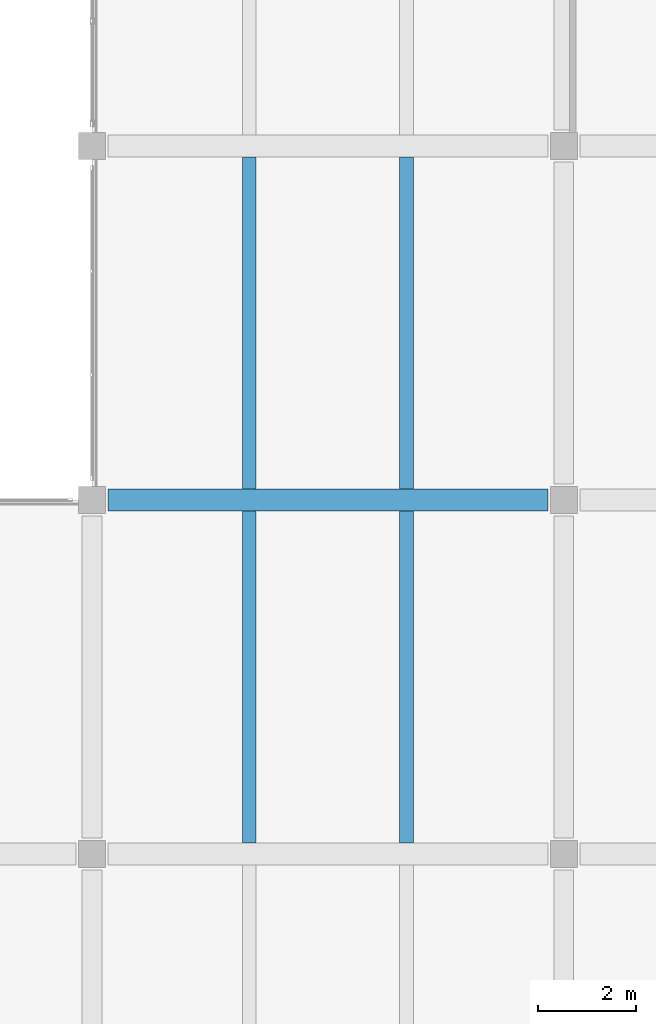
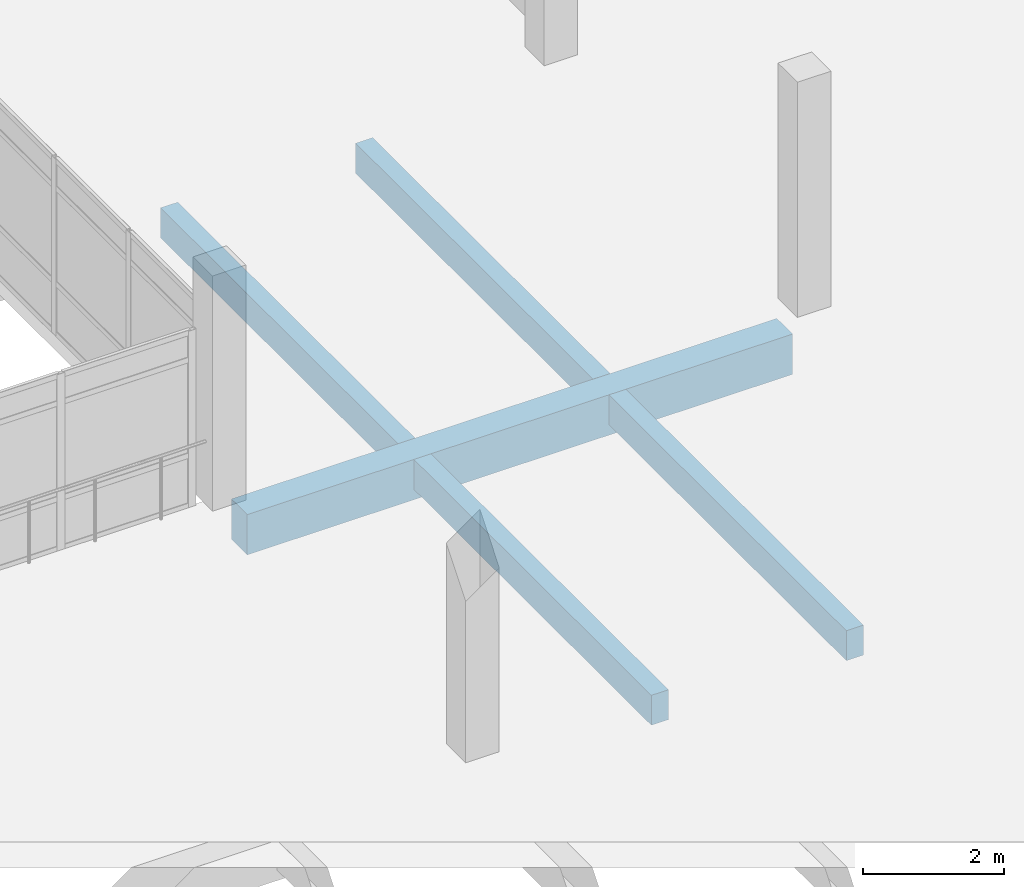
# One storey, part 30 of 72: 5 beams.
"""IFC4 building model written with IfcOpenShell, lengths in metres."""

import ifcopenshell
import ifcopenshell.guid

model = None  # the IFC model being written
_history = None  # IfcOwnerHistory: only IFC2X3 demands one
_inside = {}  # id of a spatial element -> (the spatial element, [elements in it])
_under = {}  # id of a project, library or spatial element -> (it, [spatial elements below it])
_declared = {}  # id of a project -> (the project, [libraries it declares])
_typed = {}  # id of a type object -> (the type object, [elements of that type])
_made_of = {}  # id of a material, layer set ... -> (it, [elements and type objects made of it])


def new_model(schema):
    """Start an empty IFC model of exactly this schema.

    Asked for "IFC4X3", IfcOpenShell would pick the latest addendum, in which some entities
    have other attributes; the version numbers below select the first issue.
    IFC2X3 requires an IfcOwnerHistory on every rooted entity: one is made here for all.
    """
    global model, _history
    if schema == "IFC4X3":
        model = ifcopenshell.file(schema_version=(4, 3, 0, 0))
    else:
        model = ifcopenshell.file(schema=schema)
    _inside.clear()
    _under.clear()
    _declared.clear()
    _typed.clear()
    _made_of.clear()
    _history = None
    if model.schema == "IFC2X3":
        org = make("IfcOrganization", Name="unknown")
        user = make(
            "IfcPersonAndOrganization",
            ThePerson=make("IfcPerson", FamilyName="unknown"),
            TheOrganization=org,
        )
        app = make(
            "IfcApplication",
            ApplicationDeveloper=org,
            Version="unknown",
            ApplicationFullName="unknown",
            ApplicationIdentifier="unknown",
        )
        _history = make(
            "IfcOwnerHistory",
            OwningUser=user,
            OwningApplication=app,
            ChangeAction="ADDED",
            CreationDate=0,
        )
    return model


def make(cls, **values):
    """One entity of the class cls with the attributes given. An attribute that is None is left unset."""
    return model.create_entity(
        cls, **{name: value for name, value in values.items() if value is not None}
    )


def rooted(cls, **values):
    """An entity with a GlobalId (a new one), such as an element, a storey or a relation."""
    return make(cls, GlobalId=ifcopenshell.guid.new(), OwnerHistory=_history, **values)


def si_unit(unit_type, name, prefix=None):
    """IfcSIUnit, for example si_unit("LENGTHUNIT", "METRE", prefix="MILLI")."""
    return make("IfcSIUnit", UnitType=unit_type, Prefix=prefix, Name=name)


def assignment(units):
    """IfcUnitAssignment: the units of a project."""
    return None if units is None else make("IfcUnitAssignment", Units=units)


def point(xyz):
    """IfcCartesianPoint."""
    return None if xyz is None else make("IfcCartesianPoint", Coordinates=xyz)


def direction(xyz):
    """IfcDirection."""
    return None if xyz is None else make("IfcDirection", DirectionRatios=xyz)


def frame(location, z_axis=None, x_axis=None):
    """IfcAxis2Placement3D, a coordinate frame: its origin and axes. An axis left out is left unset."""
    return make(
        "IfcAxis2Placement3D",
        Location=point(location),
        Axis=direction(z_axis),
        RefDirection=direction(x_axis),
    )


def frame_2d(location, x_axis=None):
    """IfcAxis2Placement2D, a coordinate frame in the plane: its origin and x axis."""
    return make(
        "IfcAxis2Placement2D", Location=point(location), RefDirection=direction(x_axis)
    )


def origin():
    """The frame at (0, 0, 0) with its axes left unset."""
    return frame((0.0, 0.0, 0.0))


def origin_2d():
    """The frame at (0, 0) in the plane with its x axis left unset."""
    return frame_2d((0.0, 0.0))


def place(relative_to, where):
    """IfcLocalPlacement: puts the frame where relative to a parent placement (None: the world)."""
    return make(
        "IfcLocalPlacement", PlacementRelTo=relative_to, RelativePlacement=where
    )


def context(
    kind, dimensions, precision=None, world=None, true_north=None, identifier=None
):
    """IfcGeometricRepresentationContext, for example the 3D "Model" context."""
    return make(
        "IfcGeometricRepresentationContext",
        ContextIdentifier=identifier,
        ContextType=kind,
        CoordinateSpaceDimension=dimensions,
        Precision=precision,
        WorldCoordinateSystem=world,
        TrueNorth=true_north,
    )


def subcontext(parent, identifier, kind, view, scale=None):
    """IfcGeometricRepresentationSubContext, for example "Body" below "Model"."""
    return make(
        "IfcGeometricRepresentationSubContext",
        ContextIdentifier=identifier,
        ContextType=kind,
        ParentContext=parent,
        TargetScale=scale,
        TargetView=view,
    )


def project(units=None, contexts=None):
    """IfcProject with its units and contexts."""
    return rooted(
        "IfcProject",
        Name="project",
        RepresentationContexts=contexts,
        UnitsInContext=assignment(units),
    )


def spatial(cls, under=None, at=None, **own):
    """A site, building, storey or space (cls), placed at a placement, below another one or the project."""
    s = rooted(cls, ObjectPlacement=at, **own)
    if under is not None:
        _under.setdefault(under.id(), (under, []))[1].append(s)
    return s


def profile(cls, at=None, kind="AREA", **sizes):
    """A parametric profile (cls). Its sizes go by their IFC names, for example OverallWidth=200.0."""
    return make(cls, ProfileType=kind, Position=at, **sizes)


def rectangle(**sizes):
    """IfcRectangleProfileDef."""
    return profile("IfcRectangleProfileDef", **sizes)


def extrude(swept, where, along, depth):
    """IfcExtrudedAreaSolid: the profile swept, set in the frame where, extruded along a direction by depth."""
    return make(
        "IfcExtrudedAreaSolid",
        SweptArea=swept,
        Position=where,
        ExtrudedDirection=direction(along),
        Depth=depth,
    )


def shape(context_of_items, identifier, shape_type, items):
    """IfcShapeRepresentation: the items that make up one representation, for example the "Body"."""
    return make(
        "IfcShapeRepresentation",
        ContextOfItems=context_of_items,
        RepresentationIdentifier=identifier,
        RepresentationType=shape_type,
        Items=items,
    )


def material(Name=None, Category=None):
    """IfcMaterial."""
    return make("IfcMaterial", Name=Name, Category=Category)


def material_profile(
    of_material, cross_section, Name=None, Category=None, Priority=None
):
    """IfcMaterialProfile: a cross section and its material."""
    return make(
        "IfcMaterialProfile",
        Name=Name,
        Material=of_material,
        Profile=cross_section,
        Priority=Priority,
        Category=Category,
    )


def profile_set(profiles, Name=None, composite=None):
    """IfcMaterialProfileSet."""
    return make(
        "IfcMaterialProfileSet",
        Name=Name,
        MaterialProfiles=profiles,
        CompositeProfile=composite,
    )


def made_of(thing, what):
    """Note that an element or type object is made of a material, layer set ...; save() writes the relation."""
    if what is not None:
        _made_of.setdefault(what.id(), (what, []))[1].append(thing)
    return thing


def type_object(cls, material=None, **own):
    """A type object (cls), such as IfcWallType, which elements share."""
    return made_of(rooted(cls, **own), material)


def element(
    cls,
    number,
    at=None,
    inside=None,
    cuts=None,
    type_object=None,
    material=None,
    context=None,
    identifier="Body",
    shape_type=None,
    held_by="IfcProductDefinitionShape",
    body=None,
    shapes=None,
    **own,
):
    """One element of the class cls, such as IfcWall. Its Tag is "e" and its number.

    at: its placement. inside: the storey or other place that contains it. cuts: it is an
    opening in that element (IfcRelVoidsElement). A single representation is given by context,
    identifier, shape_type and body (its items); several are given by shapes. held_by: the class
    of the entity that holds the representations. save() writes the other relations.
    """
    e = rooted(cls, Tag="e%d" % number, ObjectPlacement=at, **own)
    if body is not None:
        shapes = [shape(context, identifier, shape_type, body)]
    if shapes is not None:
        e.Representation = make(held_by, Representations=shapes)
    if inside is not None:
        _inside.setdefault(inside.id(), (inside, []))[1].append(e)
    if cuts is not None:
        rooted(
            "IfcRelVoidsElement", RelatingBuildingElement=cuts, RelatedOpeningElement=e
        )
    if type_object is not None:
        _typed.setdefault(type_object.id(), (type_object, []))[1].append(e)
    return made_of(e, material)


def aggregate(whole, parts):
    """IfcRelAggregates: a whole, such as a stair, and the parts it consists of."""
    return rooted("IfcRelAggregates", RelatingObject=whole, RelatedObjects=parts)


def save(model, path):
    """Write the relations noted so far, then the file.

    IfcRelAggregates (storeys below a building ...), IfcRelContainedInSpatialStructure (elements
    in a storey), IfcRelDefinesByType, IfcRelAssociatesMaterial and IfcRelDeclares: one each for
    every whole, place, type object, material and project.
    """
    for whole, parts in _under.values():
        aggregate(whole, parts)
    for where, things in _inside.values():
        rooted(
            "IfcRelContainedInSpatialStructure",
            RelatedElements=things,
            RelatingStructure=where,
        )
    for kind, things in _typed.values():
        rooted("IfcRelDefinesByType", RelatedObjects=things, RelatingType=kind)
    for what, things in _made_of.values():
        rooted("IfcRelAssociatesMaterial", RelatedObjects=things, RelatingMaterial=what)
    for by, libraries in _declared.values():
        rooted("IfcRelDeclares", RelatingContext=by, RelatedDefinitions=libraries)
    model.write(path)


model = new_model("IFC4")

# Units and contexts
model_context = context("Model", 3, precision=1e-05, world=origin(), true_north=direction((0.0, 1.0)))
body_context = subcontext(model_context, "Body", "Model", "MODEL_VIEW")
ifc_project = project(units=[si_unit("LENGTHUNIT", "METRE"), si_unit("AREAUNIT", "SQUARE_METRE"), si_unit("VOLUMEUNIT", "CUBIC_METRE"), si_unit("PLANEANGLEUNIT", "RADIAN"), si_unit("MASSUNIT", "GRAM", prefix="KILO")], contexts=[model_context])

# Site, building, storey
site_placement = place(None, origin())
site = spatial("IfcSite", under=ifc_project, at=site_placement, CompositionType="ELEMENT")
building_placement = place(site_placement, origin())
building = spatial("IfcBuilding", under=site, at=building_placement, Name="Asteropetra Specialist Clinic", CompositionType="ELEMENT")
storey_placement = place(building_placement, frame((0.0, 0.0, 12.580078125)))
storey = spatial("IfcBuildingStorey", under=building, at=storey_placement, Name="L03", CompositionType="ELEMENT", Elevation=12.580078125)

# Beams
ifc_material_1 = material(Name="Concrete C35/45", Category="concrete")
ifc_material_profile_1 = material_profile(ifc_material_1, rectangle(XDim=0.449951171875, YDim=0.699951171875, at=origin_2d()), Name="RCB 450x700")
ifc_profile_set_1 = profile_set([ifc_material_profile_1], Name="Concrete C35/45")
beam_type_1 = type_object("IfcBeamType", Name="BM-RC450x700", PredefinedType="BEAM", material=ifc_profile_set_1)
beam_placement = place(storey_placement, frame((134.72509765625, 19.199951171875, -0.650146484375), z_axis=(1.0, 0.0, 0.0), x_axis=(0.0, 1.0, 0.0)))
element("IfcBeam", 1, at=beam_placement, inside=storey, type_object=beam_type_1, Name="Beam BBM05-1455", PredefinedType="BEAM", context=body_context, shape_type="SweptSolid", body=[
    extrude(rectangle(XDim=0.449951171875, YDim=0.699951171875, at=origin_2d()), origin(), (0.0, 0.0, 1.0), 8.949951171875),
])
ifc_material_2 = material(Name="Concrete C35/45", Category="concrete")
ifc_material_profile_2 = material_profile(ifc_material_2, rectangle(XDim=0.280029296875, YDim=0.52001953125, at=origin_2d()), Name="RCJ 280x520")
ifc_profile_set_2 = profile_set([ifc_material_profile_2], Name="Concrete C35/45")
beam_type_2 = type_object("IfcBeamType", Name="JST-RC280x520", PredefinedType="JOIST", material=ifc_profile_set_2)
for number, where, z_axis, x_axis, name in (
    (2, (137.60009765625, 12.22509765625, -0.56005859375), (0.0, 1.0, 0.0), (-1.0, 0.0, 0.0), "Joist JJST01-1515"),
    (3, (140.800048828125, 12.22509765625, -0.56005859375), (0.0, 1.0, 0.0), (-1.0, 0.0, 0.0), "Joist JJST01-1516"),
    (4, (137.60009765625, 19.425048828125, -0.56005859375), (0.0, 1.0, 0.0), (-1.0, 0.0, 0.0), "Joist JJST01-1527"),
    (5, (140.800048828125, 19.425048828125, -0.56005859375), (0.0, 1.0, 0.0), (-1.0, 0.0, 0.0), "Joist JJST01-1528"),
):
    element("IfcBeam", number, at=place(storey_placement, frame(where, z_axis=z_axis, x_axis=x_axis)), inside=storey, type_object=beam_type_2, Name=name, PredefinedType="JOIST", context=body_context, shape_type="SweptSolid", body=[
        extrude(rectangle(XDim=0.280029296875, YDim=0.52001953125, at=origin_2d()), origin(), (0.0, 0.0, 1.0), 6.75),
    ])

save(model, "model.ifc")
